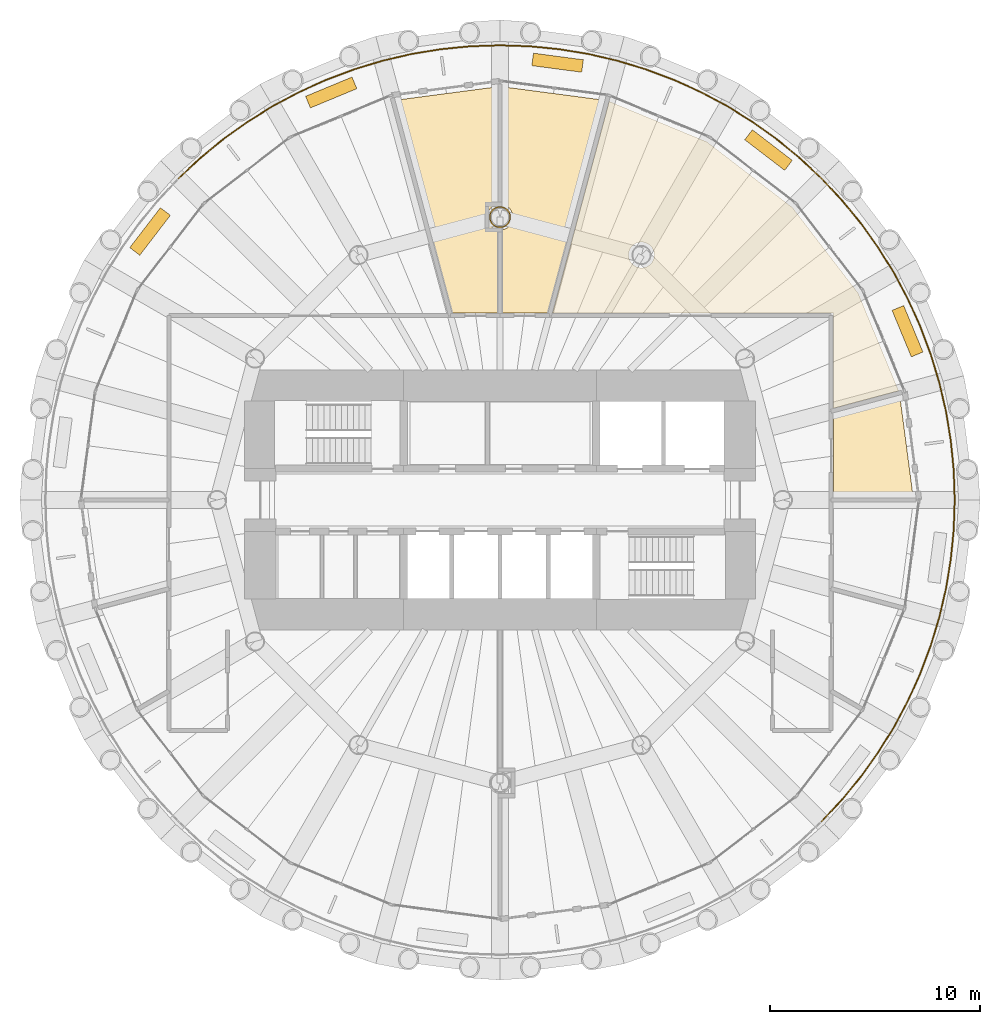
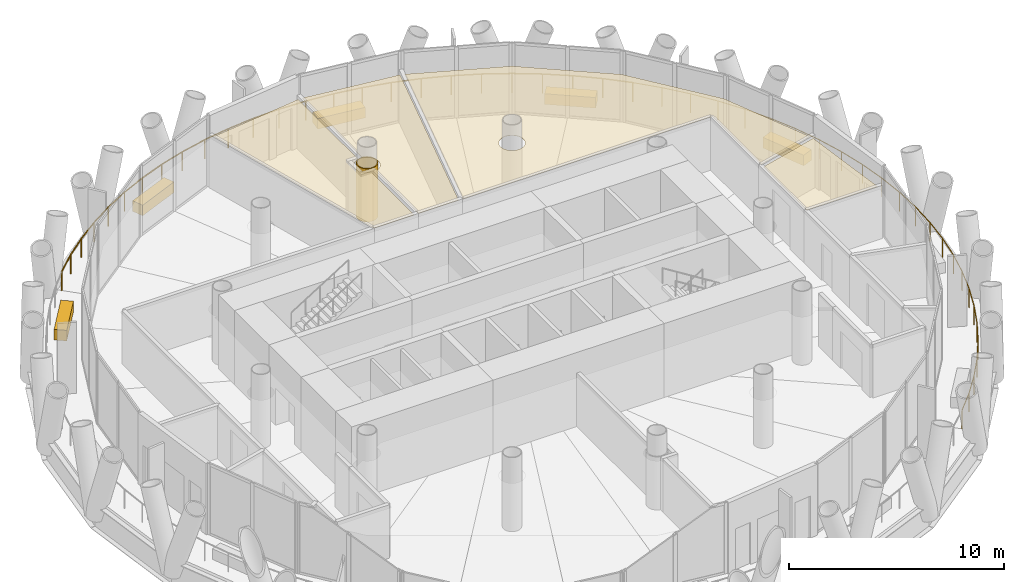
# One storey, part 13 of 13: 10 coverings, 2 railings.
"""IFC4 building model written with IfcOpenShell, lengths in metres."""

from ifc_helpers import new_model, si_unit, direction, frame, origin, origin_2d, place, context, subcontext, project, spatial, polyline, rectangle, circle, outline, extrude, material, layer, layer_set, type_object, element, save


model = new_model("IFC4")

# Units and contexts
model_context = context("Model", 3, precision=1e-05, world=origin(), true_north=direction((0.0, 1.0)))
body_context = subcontext(model_context, "Body", "Model", "MODEL_VIEW")
ifc_project = project(units=[si_unit("LENGTHUNIT", "METRE"), si_unit("AREAUNIT", "SQUARE_METRE"), si_unit("VOLUMEUNIT", "CUBIC_METRE"), si_unit("PLANEANGLEUNIT", "RADIAN"), si_unit("MASSUNIT", "GRAM", prefix="KILO")], contexts=[model_context])

# Site, building, storey
site_placement = place(None, origin())
site = spatial("IfcSite", under=ifc_project, at=site_placement, CompositionType="ELEMENT")
building_placement = place(site_placement, origin())
building = spatial("IfcBuilding", under=site, at=building_placement, Name="Qaws Media Tower", CompositionType="ELEMENT")
storey_placement = place(building_placement, frame((0.0, 0.0, 244.39990234375)))
storey = spatial("IfcBuildingStorey", under=building, at=storey_placement, Name="L56", CompositionType="ELEMENT", Elevation=244.39990234375)

# Railings
ifc_material_1 = material(Name="Stainless steel and glass guard", Category="steel")
railing_type = type_object("IfcRailingType", Name="Balcony guard 1100", PredefinedType="GUARDRAIL", material=ifc_material_1)
railing_1_placement = place(storey_placement, frame((75.34423828125, 65.34423828125, 0.0)))
element("IfcRailing", 1, at=railing_1_placement, inside=storey, type_object=railing_type, Name="GR1 balcony guard L56-1", PredefinedType="GUARDRAIL", context=body_context, shape_type="SweptSolid", body=[
    extrude(circle(Radius=0.02392578125, at=origin_2d()), frame((0.0, 0.0, 1.076171875), z_axis=(-0.729853467609, 0.683603624785, 0.0), x_axis=(-0.683603624785, -0.729853467609, 0.0)), (0.0, 0.0, 1.0), 1.419921875),
    extrude(circle(Radius=0.02392578125, at=origin_2d()), frame((-1.036376953125, 0.970703125, 1.076171875), z_axis=(-0.772991216558, 0.634416723554, 0.0), x_axis=(-0.634416723554, -0.772991216558, 0.0)), (0.0, 0.0, 1.0), 1.419921875),
    extrude(circle(Radius=0.02392578125, at=origin_2d()), frame((-2.134033203125, 1.87158203125, 1.076171875), z_axis=(-0.812849687149, 0.582473506781, 0.0), x_axis=(-0.582473506781, -0.812849687149, 0.0)), (0.0, 0.0, 1.0), 1.420166015625),
    extrude(circle(Radius=0.02392578125, at=origin_2d()), frame((-3.288330078125, 2.69873046875, 1.076171875), z_axis=(-0.84922281135, 0.528034673751, 0.0), x_axis=(-0.528034673751, -0.84922281135, 0.0)), (0.0, 0.0, 1.0), 1.419921875),
    extrude(circle(Radius=0.02392578125, at=origin_2d()), frame((-4.494140625, 3.448486328125, 1.076171875), z_axis=(-0.881924275223, 0.471391103833, 0.0), x_axis=(-0.471391103833, -0.881924275223, 0.0)), (0.0, 0.0, 1.0), 1.420166015625),
    extrude(circle(Radius=0.02392578125, at=origin_2d()), frame((-5.74658203125, 4.117919921875, 1.076171875), z_axis=(-0.910895658311, 0.412636764807, 0.0), x_axis=(-0.412636764807, -0.910895658311, 0.0)), (0.0, 0.0, 1.0), 1.419921875),
    extrude(circle(Radius=0.02392578125, at=origin_2d()), frame((-7.0400390625, 4.703857421875, 1.076171875), z_axis=(-0.935883258731, 0.352310269546, 0.0), x_axis=(-0.352310269546, -0.935883258731, 0.0)), (0.0, 0.0, 1.0), 1.419921875),
    extrude(circle(Radius=0.02392578125, at=origin_2d()), frame((-8.368896484375, 5.2041015625, 1.076171875), z_axis=(-0.956912997264, 0.290374784833, 0.0), x_axis=(-0.290374784833, -0.956912997264, 0.0)), (0.0, 0.0, 1.0), 1.420166015625),
    extrude(circle(Radius=0.02392578125, at=origin_2d()), frame((-9.727783203125, 5.616455078125, 1.076171875), z_axis=(-0.97391090899, 0.22693069724, 0.0), x_axis=(-0.22693069724, -0.97391090899, 0.0)), (0.0, 0.0, 1.0), 1.420166015625),
    extrude(circle(Radius=0.02392578125, at=origin_2d()), frame((-11.11083984375, 5.938720703125, 1.076171875), z_axis=(-0.986625297851, 0.163004667543, 0.0), x_axis=(-0.163004667543, -0.986625297851, 0.0)), (0.0, 0.0, 1.0), 1.419921875),
    extrude(circle(Radius=0.02392578125, at=origin_2d()), frame((-12.51171875, 6.170166015625, 1.076171875), z_axis=(-0.99518752223, 0.097988752405, 0.0), x_axis=(-0.097988752405, -0.99518752223, 0.0)), (0.0, 0.0, 1.0), 1.420166015625),
    extrude(circle(Radius=0.02392578125, at=origin_2d()), frame((-13.925048828125, 6.309326171875, 1.076171875), z_axis=(-0.999466261228, 0.032667914955, 0.0), x_axis=(-0.032667914955, -0.999466261228, 0.0)), (0.0, 0.0, 1.0), 1.419921875),
    extrude(circle(Radius=0.02392578125, at=origin_2d()), frame((-15.34423828125, 6.355712890625, 1.076171875), z_axis=(-0.999466261228, -0.032667914955, 0.0), x_axis=(0.032667914955, -0.999466261228, 0.0)), (0.0, 0.0, 1.0), 1.419921875),
    extrude(circle(Radius=0.02392578125, at=origin_2d()), frame((-16.763427734375, 6.309326171875, 1.076171875), z_axis=(-0.99518752223, -0.097988752405, 0.0), x_axis=(0.097988752405, -0.99518752223, 0.0)), (0.0, 0.0, 1.0), 1.420166015625),
    extrude(circle(Radius=0.02392578125, at=origin_2d()), frame((-18.1767578125, 6.170166015625, 1.076171875), z_axis=(-0.986625297851, -0.163004667543, 0.0), x_axis=(0.163004667543, -0.986625297851, 0.0)), (0.0, 0.0, 1.0), 1.419921875),
    extrude(circle(Radius=0.02392578125, at=origin_2d()), frame((-19.57763671875, 5.938720703125, 1.076171875), z_axis=(-0.97391090899, -0.22693069724, 0.0), x_axis=(0.22693069724, -0.97391090899, 0.0)), (0.0, 0.0, 1.0), 1.420166015625),
    extrude(circle(Radius=0.02392578125, at=origin_2d()), frame((-20.960693359375, 5.616455078125, 1.076171875), z_axis=(-0.956912997264, -0.290374784833, 0.0), x_axis=(0.290374784833, -0.956912997264, 0.0)), (0.0, 0.0, 1.0), 1.420166015625),
    extrude(circle(Radius=0.02392578125, at=origin_2d()), frame((-22.319580078125, 5.2041015625, 1.076171875), z_axis=(-0.935883258731, -0.352310269546, 0.0), x_axis=(0.352310269546, -0.935883258731, 0.0)), (0.0, 0.0, 1.0), 1.419921875),
    extrude(circle(Radius=0.02392578125, at=origin_2d()), frame((-23.6484375, 4.703857421875, 1.076171875), z_axis=(-0.910895658311, -0.412636764807, 0.0), x_axis=(0.412636764807, -0.910895658311, 0.0)), (0.0, 0.0, 1.0), 1.419921875),
    extrude(circle(Radius=0.02392578125, at=origin_2d()), frame((-24.94189453125, 4.117919921875, 1.076171875), z_axis=(-0.881924275223, -0.471391103833, 0.0), x_axis=(0.471391103833, -0.881924275223, 0.0)), (0.0, 0.0, 1.0), 1.420166015625),
    extrude(circle(Radius=0.02392578125, at=origin_2d()), frame((-26.1943359375, 3.448486328125, 1.076171875), z_axis=(-0.84922281135, -0.528034673751, 0.0), x_axis=(0.528034673751, -0.84922281135, 0.0)), (0.0, 0.0, 1.0), 1.419921875),
    extrude(circle(Radius=0.02392578125, at=origin_2d()), frame((-27.400146484375, 2.69873046875, 1.076171875), z_axis=(-0.812849687149, -0.582473506781, 0.0), x_axis=(0.582473506781, -0.812849687149, 0.0)), (0.0, 0.0, 1.0), 1.420166015625),
    extrude(circle(Radius=0.02392578125, at=origin_2d()), frame((-28.554443359375, 1.87158203125, 1.076171875), z_axis=(-0.772991216558, -0.634416723554, 0.0), x_axis=(0.634416723554, -0.772991216558, 0.0)), (0.0, 0.0, 1.0), 1.419921875),
    extrude(circle(Radius=0.02392578125, at=origin_2d()), frame((-29.652099609375, 0.970703125, 1.076171875), z_axis=(-0.729853467609, -0.683603624785, 0.0), x_axis=(0.683603624785, -0.729853467609, 0.0)), (0.0, 0.0, 1.0), 1.419921875),
    extrude(circle(Radius=0.02099609375, at=origin_2d()), origin(), (0.0, 0.0, 1.0), 1.052001953125),
    extrude(circle(Radius=0.02099609375, at=origin_2d()), frame((-1.036376953125, 0.970703125, 0.0)), (0.0, 0.0, 1.0), 1.052001953125),
    extrude(circle(Radius=0.02099609375, at=origin_2d()), frame((-2.134033203125, 1.87158203125, 0.0)), (0.0, 0.0, 1.0), 1.052001953125),
    extrude(circle(Radius=0.02099609375, at=origin_2d()), frame((-3.288330078125, 2.69873046875, 0.0)), (0.0, 0.0, 1.0), 1.052001953125),
    extrude(circle(Radius=0.02099609375, at=origin_2d()), frame((-4.494140625, 3.448486328125, 0.0)), (0.0, 0.0, 1.0), 1.052001953125),
    extrude(circle(Radius=0.02099609375, at=origin_2d()), frame((-5.74658203125, 4.117919921875, 0.0)), (0.0, 0.0, 1.0), 1.052001953125),
    extrude(circle(Radius=0.02099609375, at=origin_2d()), frame((-7.0400390625, 4.703857421875, 0.0)), (0.0, 0.0, 1.0), 1.052001953125),
    extrude(circle(Radius=0.02099609375, at=origin_2d()), frame((-8.368896484375, 5.2041015625, 0.0)), (0.0, 0.0, 1.0), 1.052001953125),
    extrude(circle(Radius=0.02099609375, at=origin_2d()), frame((-9.727783203125, 5.616455078125, 0.0)), (0.0, 0.0, 1.0), 1.052001953125),
    extrude(circle(Radius=0.02099609375, at=origin_2d()), frame((-11.11083984375, 5.938720703125, 0.0)), (0.0, 0.0, 1.0), 1.052001953125),
    extrude(circle(Radius=0.02099609375, at=origin_2d()), frame((-12.51171875, 6.170166015625, 0.0)), (0.0, 0.0, 1.0), 1.052001953125),
    extrude(circle(Radius=0.02099609375, at=origin_2d()), frame((-13.925048828125, 6.309326171875, 0.0)), (0.0, 0.0, 1.0), 1.052001953125),
    extrude(circle(Radius=0.02099609375, at=origin_2d()), frame((-15.34423828125, 6.355712890625, 0.0)), (0.0, 0.0, 1.0), 1.052001953125),
    extrude(circle(Radius=0.02099609375, at=origin_2d()), frame((-16.763427734375, 6.309326171875, 0.0)), (0.0, 0.0, 1.0), 1.052001953125),
    extrude(circle(Radius=0.02099609375, at=origin_2d()), frame((-18.1767578125, 6.170166015625, 0.0)), (0.0, 0.0, 1.0), 1.052001953125),
    extrude(circle(Radius=0.02099609375, at=origin_2d()), frame((-19.57763671875, 5.938720703125, 0.0)), (0.0, 0.0, 1.0), 1.052001953125),
    extrude(circle(Radius=0.02099609375, at=origin_2d()), frame((-20.960693359375, 5.616455078125, 0.0)), (0.0, 0.0, 1.0), 1.052001953125),
    extrude(circle(Radius=0.02099609375, at=origin_2d()), frame((-22.319580078125, 5.2041015625, 0.0)), (0.0, 0.0, 1.0), 1.052001953125),
    extrude(circle(Radius=0.02099609375, at=origin_2d()), frame((-23.6484375, 4.703857421875, 0.0)), (0.0, 0.0, 1.0), 1.052001953125),
    extrude(circle(Radius=0.02099609375, at=origin_2d()), frame((-24.94189453125, 4.117919921875, 0.0)), (0.0, 0.0, 1.0), 1.052001953125),
    extrude(circle(Radius=0.02099609375, at=origin_2d()), frame((-26.1943359375, 3.448486328125, 0.0)), (0.0, 0.0, 1.0), 1.052001953125),
    extrude(circle(Radius=0.02099609375, at=origin_2d()), frame((-27.400146484375, 2.69873046875, 0.0)), (0.0, 0.0, 1.0), 1.052001953125),
    extrude(circle(Radius=0.02099609375, at=origin_2d()), frame((-28.554443359375, 1.87158203125, 0.0)), (0.0, 0.0, 1.0), 1.052001953125),
    extrude(circle(Radius=0.02099609375, at=origin_2d()), frame((-29.652099609375, 0.970703125, 0.0)), (0.0, 0.0, 1.0), 1.052001953125),
    extrude(circle(Radius=0.02099609375, at=origin_2d()), frame((-30.6884765625, 0.0, 0.0)), (0.0, 0.0, 1.0), 1.052001953125),
])
railing_2_placement = place(storey_placement, frame((75.34423828125, 34.65576171875, 0.0)))
element("IfcRailing", 2, at=railing_2_placement, inside=storey, type_object=railing_type, Name="GR1 balcony guard L56-4", PredefinedType="GUARDRAIL", context=body_context, shape_type="SweptSolid", body=[
    extrude(circle(Radius=0.02392578125, at=origin_2d()), frame((0.0, 0.0, 1.076171875), z_axis=(0.683603624785, 0.729853467609, 0.0), x_axis=(-0.729853467609, 0.683603624785, 0.0)), (0.0, 0.0, 1.0), 1.419921875),
    extrude(circle(Radius=0.02392578125, at=origin_2d()), frame((0.970703125, 1.036376953125, 1.076171875), z_axis=(0.634416723554, 0.772991216558, 0.0), x_axis=(-0.772991216558, 0.634416723554, 0.0)), (0.0, 0.0, 1.0), 1.419921875),
    extrude(circle(Radius=0.02392578125, at=origin_2d()), frame((1.87158203125, 2.134033203125, 1.076171875), z_axis=(0.582473506781, 0.812849687149, 0.0), x_axis=(-0.812849687149, 0.582473506781, 0.0)), (0.0, 0.0, 1.0), 1.420166015625),
    extrude(circle(Radius=0.02392578125, at=origin_2d()), frame((2.69873046875, 3.288330078125, 1.076171875), z_axis=(0.528034673751, 0.84922281135, 0.0), x_axis=(-0.84922281135, 0.528034673751, 0.0)), (0.0, 0.0, 1.0), 1.419921875),
    extrude(circle(Radius=0.02392578125, at=origin_2d()), frame((3.448486328125, 4.494140625, 1.076171875), z_axis=(0.471391103833, 0.881924275223, 0.0), x_axis=(-0.881924275223, 0.471391103833, 0.0)), (0.0, 0.0, 1.0), 1.420166015625),
    extrude(circle(Radius=0.02392578125, at=origin_2d()), frame((4.117919921875, 5.74658203125, 1.076171875), z_axis=(0.412636764807, 0.910895658311, 0.0), x_axis=(-0.910895658311, 0.412636764807, 0.0)), (0.0, 0.0, 1.0), 1.419921875),
    extrude(circle(Radius=0.02392578125, at=origin_2d()), frame((4.703857421875, 7.0400390625, 1.076171875), z_axis=(0.352310269546, 0.935883258731, 0.0), x_axis=(-0.935883258731, 0.352310269546, 0.0)), (0.0, 0.0, 1.0), 1.419921875),
    extrude(circle(Radius=0.02392578125, at=origin_2d()), frame((5.2041015625, 8.368896484375, 1.076171875), z_axis=(0.290374784833, 0.956912997264, 0.0), x_axis=(-0.956912997264, 0.290374784833, 0.0)), (0.0, 0.0, 1.0), 1.420166015625),
    extrude(circle(Radius=0.02392578125, at=origin_2d()), frame((5.616455078125, 9.727783203125, 1.076171875), z_axis=(0.22693069724, 0.97391090899, 0.0), x_axis=(-0.97391090899, 0.22693069724, 0.0)), (0.0, 0.0, 1.0), 1.420166015625),
    extrude(circle(Radius=0.02392578125, at=origin_2d()), frame((5.938720703125, 11.11083984375, 1.076171875), z_axis=(0.163004667543, 0.986625297851, 0.0), x_axis=(-0.986625297851, 0.163004667543, 0.0)), (0.0, 0.0, 1.0), 1.419921875),
    extrude(circle(Radius=0.02392578125, at=origin_2d()), frame((6.170166015625, 12.51171875, 1.076171875), z_axis=(0.097988752405, 0.99518752223, 0.0), x_axis=(-0.99518752223, 0.097988752405, 0.0)), (0.0, 0.0, 1.0), 1.420166015625),
    extrude(circle(Radius=0.02392578125, at=origin_2d()), frame((6.309326171875, 13.925048828125, 1.076171875), z_axis=(0.032667914955, 0.999466261228, 0.0), x_axis=(-0.999466261228, 0.032667914955, 0.0)), (0.0, 0.0, 1.0), 1.419921875),
    extrude(circle(Radius=0.02392578125, at=origin_2d()), frame((6.355712890625, 15.34423828125, 1.076171875), z_axis=(-0.032667914955, 0.999466261228, 0.0), x_axis=(-0.999466261228, -0.032667914955, 0.0)), (0.0, 0.0, 1.0), 1.419921875),
    extrude(circle(Radius=0.02392578125, at=origin_2d()), frame((6.309326171875, 16.763427734375, 1.076171875), z_axis=(-0.097988752405, 0.99518752223, 0.0), x_axis=(-0.99518752223, -0.097988752405, 0.0)), (0.0, 0.0, 1.0), 1.420166015625),
    extrude(circle(Radius=0.02392578125, at=origin_2d()), frame((6.170166015625, 18.1767578125, 1.076171875), z_axis=(-0.163004667543, 0.986625297851, 0.0), x_axis=(-0.986625297851, -0.163004667543, 0.0)), (0.0, 0.0, 1.0), 1.419921875),
    extrude(circle(Radius=0.02392578125, at=origin_2d()), frame((5.938720703125, 19.57763671875, 1.076171875), z_axis=(-0.22693069724, 0.97391090899, 0.0), x_axis=(-0.97391090899, -0.22693069724, 0.0)), (0.0, 0.0, 1.0), 1.420166015625),
    extrude(circle(Radius=0.02392578125, at=origin_2d()), frame((5.616455078125, 20.960693359375, 1.076171875), z_axis=(-0.290374784833, 0.956912997264, 0.0), x_axis=(-0.956912997264, -0.290374784833, 0.0)), (0.0, 0.0, 1.0), 1.420166015625),
    extrude(circle(Radius=0.02392578125, at=origin_2d()), frame((5.2041015625, 22.319580078125, 1.076171875), z_axis=(-0.352310269546, 0.935883258731, 0.0), x_axis=(-0.935883258731, -0.352310269546, 0.0)), (0.0, 0.0, 1.0), 1.419921875),
    extrude(circle(Radius=0.02392578125, at=origin_2d()), frame((4.703857421875, 23.6484375, 1.076171875), z_axis=(-0.412636764807, 0.910895658311, 0.0), x_axis=(-0.910895658311, -0.412636764807, 0.0)), (0.0, 0.0, 1.0), 1.419921875),
    extrude(circle(Radius=0.02392578125, at=origin_2d()), frame((4.117919921875, 24.94189453125, 1.076171875), z_axis=(-0.471391103833, 0.881924275223, 0.0), x_axis=(-0.881924275223, -0.471391103833, 0.0)), (0.0, 0.0, 1.0), 1.420166015625),
    extrude(circle(Radius=0.02392578125, at=origin_2d()), frame((3.448486328125, 26.1943359375, 1.076171875), z_axis=(-0.528034673751, 0.84922281135, 0.0), x_axis=(-0.84922281135, -0.528034673751, 0.0)), (0.0, 0.0, 1.0), 1.419921875),
    extrude(circle(Radius=0.02392578125, at=origin_2d()), frame((2.69873046875, 27.400146484375, 1.076171875), z_axis=(-0.582473506781, 0.812849687149, 0.0), x_axis=(-0.812849687149, -0.582473506781, 0.0)), (0.0, 0.0, 1.0), 1.420166015625),
    extrude(circle(Radius=0.02392578125, at=origin_2d()), frame((1.87158203125, 28.554443359375, 1.076171875), z_axis=(-0.634416723554, 0.772991216558, 0.0), x_axis=(-0.772991216558, -0.634416723554, 0.0)), (0.0, 0.0, 1.0), 1.419921875),
    extrude(circle(Radius=0.02392578125, at=origin_2d()), frame((0.970703125, 29.652099609375, 1.076171875), z_axis=(-0.683603624785, 0.729853467609, 0.0), x_axis=(-0.729853467609, -0.683603624785, 0.0)), (0.0, 0.0, 1.0), 1.419921875),
    extrude(circle(Radius=0.02099609375, at=origin_2d()), origin(), (0.0, 0.0, 1.0), 1.052001953125),
    extrude(circle(Radius=0.02099609375, at=origin_2d()), frame((0.970703125, 1.036376953125, 0.0)), (0.0, 0.0, 1.0), 1.052001953125),
    extrude(circle(Radius=0.02099609375, at=origin_2d()), frame((1.87158203125, 2.134033203125, 0.0)), (0.0, 0.0, 1.0), 1.052001953125),
    extrude(circle(Radius=0.02099609375, at=origin_2d()), frame((2.69873046875, 3.288330078125, 0.0)), (0.0, 0.0, 1.0), 1.052001953125),
    extrude(circle(Radius=0.02099609375, at=origin_2d()), frame((3.448486328125, 4.494140625, 0.0)), (0.0, 0.0, 1.0), 1.052001953125),
    extrude(circle(Radius=0.02099609375, at=origin_2d()), frame((4.117919921875, 5.74658203125, 0.0)), (0.0, 0.0, 1.0), 1.052001953125),
    extrude(circle(Radius=0.02099609375, at=origin_2d()), frame((4.703857421875, 7.0400390625, 0.0)), (0.0, 0.0, 1.0), 1.052001953125),
    extrude(circle(Radius=0.02099609375, at=origin_2d()), frame((5.2041015625, 8.368896484375, 0.0)), (0.0, 0.0, 1.0), 1.052001953125),
    extrude(circle(Radius=0.02099609375, at=origin_2d()), frame((5.616455078125, 9.727783203125, 0.0)), (0.0, 0.0, 1.0), 1.052001953125),
    extrude(circle(Radius=0.02099609375, at=origin_2d()), frame((5.938720703125, 11.11083984375, 0.0)), (0.0, 0.0, 1.0), 1.052001953125),
    extrude(circle(Radius=0.02099609375, at=origin_2d()), frame((6.170166015625, 12.51171875, 0.0)), (0.0, 0.0, 1.0), 1.052001953125),
    extrude(circle(Radius=0.02099609375, at=origin_2d()), frame((6.309326171875, 13.925048828125, 0.0)), (0.0, 0.0, 1.0), 1.052001953125),
    extrude(circle(Radius=0.02099609375, at=origin_2d()), frame((6.355712890625, 15.34423828125, 0.0)), (0.0, 0.0, 1.0), 1.052001953125),
    extrude(circle(Radius=0.02099609375, at=origin_2d()), frame((6.309326171875, 16.763427734375, 0.0)), (0.0, 0.0, 1.0), 1.052001953125),
    extrude(circle(Radius=0.02099609375, at=origin_2d()), frame((6.170166015625, 18.1767578125, 0.0)), (0.0, 0.0, 1.0), 1.052001953125),
    extrude(circle(Radius=0.02099609375, at=origin_2d()), frame((5.938720703125, 19.57763671875, 0.0)), (0.0, 0.0, 1.0), 1.052001953125),
    extrude(circle(Radius=0.02099609375, at=origin_2d()), frame((5.616455078125, 20.960693359375, 0.0)), (0.0, 0.0, 1.0), 1.052001953125),
    extrude(circle(Radius=0.02099609375, at=origin_2d()), frame((5.2041015625, 22.319580078125, 0.0)), (0.0, 0.0, 1.0), 1.052001953125),
    extrude(circle(Radius=0.02099609375, at=origin_2d()), frame((4.703857421875, 23.6484375, 0.0)), (0.0, 0.0, 1.0), 1.052001953125),
    extrude(circle(Radius=0.02099609375, at=origin_2d()), frame((4.117919921875, 24.94189453125, 0.0)), (0.0, 0.0, 1.0), 1.052001953125),
    extrude(circle(Radius=0.02099609375, at=origin_2d()), frame((3.448486328125, 26.1943359375, 0.0)), (0.0, 0.0, 1.0), 1.052001953125),
    extrude(circle(Radius=0.02099609375, at=origin_2d()), frame((2.69873046875, 27.400146484375, 0.0)), (0.0, 0.0, 1.0), 1.052001953125),
    extrude(circle(Radius=0.02099609375, at=origin_2d()), frame((1.87158203125, 28.554443359375, 0.0)), (0.0, 0.0, 1.0), 1.052001953125),
    extrude(circle(Radius=0.02099609375, at=origin_2d()), frame((0.970703125, 29.652099609375, 0.0)), (0.0, 0.0, 1.0), 1.052001953125),
    extrude(circle(Radius=0.02099609375, at=origin_2d()), frame((0.0, 30.6884765625, 0.0)), (0.0, 0.0, 1.0), 1.052001953125),
])

# Coverings
ifc_material_2 = material(Name="Two layers 15 fire-rated gypsum board on steel framing", Category="steel")
ifc_layer_1 = layer(ifc_material_2, 0.050048828125)
ifc_layer_set_1 = layer_set([ifc_layer_1], Name="Column fire casing")
covering_type_1 = type_object("IfcCoveringType", Name="Column fire casing", PredefinedType="CLADDING", material=ifc_layer_set_1)
covering_1_placement = place(storey_placement, origin())
element("IfcCovering", 3, at=covering_1_placement, inside=storey, type_object=covering_type_1, Name="CC1 column casing L56", PredefinedType="CLADDING", context=body_context, shape_type="SweptSolid", body=[
    extrude(outline(polyline([(60.511962890625, 63.5), (60.507568359375, 63.43310546875), (60.49462890625, 63.367431640625), (60.472900390625, 63.30419921875), (60.443359375, 63.243896484375), (60.40625, 63.188232421875), (60.362060546875, 63.137939453125), (60.311767578125, 63.09375), (60.256103515625, 63.056640625), (60.19580078125, 63.027099609375), (60.132568359375, 63.00537109375), (60.06689453125, 62.992431640625), (60.0, 62.988037109375), (59.93310546875, 62.992431640625), (59.867431640625, 63.00537109375), (59.80419921875, 63.027099609375), (59.743896484375, 63.056640625), (59.688232421875, 63.09375), (59.637939453125, 63.137939453125), (59.59375, 63.188232421875), (59.556640625, 63.243896484375), (59.527099609375, 63.30419921875), (59.50537109375, 63.367431640625), (59.492431640625, 63.43310546875), (59.488037109375, 63.5), (59.492431640625, 63.56689453125), (59.50537109375, 63.632568359375), (59.527099609375, 63.69580078125), (59.556640625, 63.756103515625), (59.59375, 63.811767578125), (59.637939453125, 63.862060546875), (59.688232421875, 63.90625), (59.743896484375, 63.943359375), (59.80419921875, 63.972900390625), (59.867431640625, 63.99462890625), (59.93310546875, 64.007568359375), (60.0, 64.011962890625), (60.06689453125, 64.007568359375), (60.132568359375, 63.99462890625), (60.19580078125, 63.972900390625), (60.256103515625, 63.943359375), (60.311767578125, 63.90625), (60.362060546875, 63.862060546875), (60.40625, 63.811767578125), (60.443359375, 63.756103515625), (60.472900390625, 63.69580078125), (60.49462890625, 63.632568359375), (60.507568359375, 63.56689453125), (60.511962890625, 63.5)]), holes=[polyline([(60.4599609375, 63.5), (60.4560546875, 63.43994140625), (60.4443359375, 63.380859375), (60.425048828125, 63.323974609375), (60.3984375, 63.27001953125), (60.364990234375, 63.219970703125), (60.3251953125, 63.1748046875), (60.280029296875, 63.135009765625), (60.22998046875, 63.1015625), (60.176025390625, 63.074951171875), (60.119140625, 63.0556640625), (60.06005859375, 63.0439453125), (60.0, 63.0400390625), (59.93994140625, 63.0439453125), (59.880859375, 63.0556640625), (59.823974609375, 63.074951171875), (59.77001953125, 63.1015625), (59.719970703125, 63.135009765625), (59.6748046875, 63.1748046875), (59.635009765625, 63.219970703125), (59.6015625, 63.27001953125), (59.574951171875, 63.323974609375), (59.5556640625, 63.380859375), (59.5439453125, 63.43994140625), (59.5400390625, 63.5), (59.5439453125, 63.56005859375), (59.5556640625, 63.619140625), (59.574951171875, 63.676025390625), (59.6015625, 63.72998046875), (59.635009765625, 63.780029296875), (59.6748046875, 63.8251953125), (59.719970703125, 63.864990234375), (59.77001953125, 63.8984375), (59.823974609375, 63.925048828125), (59.880859375, 63.9443359375), (59.93994140625, 63.9560546875), (60.0, 63.9599609375), (60.06005859375, 63.9560546875), (60.119140625, 63.9443359375), (60.176025390625, 63.925048828125), (60.22998046875, 63.8984375), (60.280029296875, 63.864990234375), (60.3251953125, 63.8251953125), (60.364990234375, 63.780029296875), (60.3984375, 63.72998046875), (60.425048828125, 63.676025390625), (60.4443359375, 63.619140625), (60.4560546875, 63.56005859375), (60.4599609375, 63.5)])]), origin(), (0.0, 0.0, 1.0), 3.02001953125),
])
ifc_material_3 = material(Name="600 x 600 mineral fibre tiles in exposed grid, suspended", Category="mineral fibre")
ifc_layer_2 = layer(ifc_material_3, 0.02001953125)
ifc_layer_set_2 = layer_set([ifc_layer_2], Name="Mineral fibre tile ceiling 20")
covering_type_2 = type_object("IfcCoveringType", Name="Mineral fibre tile ceiling 20", PredefinedType="CEILING", material=ifc_layer_set_2)
covering_2_placement = place(storey_placement, frame((0.0, 0.0, 2.85009765625)))
element("IfcCovering", 4, at=covering_2_placement, inside=storey, type_object=covering_type_2, Name="CL1 ceiling L56-03 Tenant office", PredefinedType="CEILING", context=body_context, shape_type="SweptSolid", body=[
    extrude(outline(polyline([(69.86767578125, 67.09130859375), (73.954833984375, 63.954833984375), (77.09130859375, 59.86767578125), (79.019287109375, 55.212646484375), (75.91259765625, 54.380126953125), (75.91259765625, 58.91259765625), (62.504638671875, 58.91259765625), (65.212646484375, 69.019287109375), (69.86767578125, 67.09130859375)]), holes=[polyline([(67.320068359375, 61.455078125), (67.345947265625, 61.53173828125), (67.36181640625, 61.61083984375), (67.366943359375, 61.69140625), (67.36181640625, 61.77197265625), (67.345947265625, 61.85107421875), (67.320068359375, 61.927490234375), (67.2841796875, 61.999755859375), (67.239501953125, 62.06689453125), (67.186279296875, 62.127685546875), (67.12548828125, 62.180908203125), (67.05859375, 62.2255859375), (66.986083984375, 62.261474609375), (66.90966796875, 62.287353515625), (66.83056640625, 62.302978515625), (66.75, 62.308349609375), (66.66943359375, 62.302978515625), (66.59033203125, 62.287353515625), (66.513916015625, 62.261474609375), (66.44140625, 62.2255859375), (66.37451171875, 62.180908203125), (66.313720703125, 62.127685546875), (66.260498046875, 62.06689453125), (66.2158203125, 61.999755859375), (66.179931640625, 61.927490234375), (66.154052734375, 61.85107421875), (66.13818359375, 61.77197265625), (66.133056640625, 61.69140625), (66.13818359375, 61.61083984375), (66.154052734375, 61.53173828125), (66.179931640625, 61.455078125), (66.2158203125, 61.3828125), (66.260498046875, 61.315673828125), (66.313720703125, 61.255126953125), (66.37451171875, 61.201904296875), (66.44140625, 61.156982421875), (66.513916015625, 61.121337890625), (66.59033203125, 61.095458984375), (66.66943359375, 61.07958984375), (66.75, 61.07421875), (66.83056640625, 61.07958984375), (66.90966796875, 61.095458984375), (66.986083984375, 61.121337890625), (67.05859375, 61.156982421875), (67.12548828125, 61.201904296875), (67.186279296875, 61.255126953125), (67.239501953125, 61.315673828125), (67.2841796875, 61.3828125), (67.320068359375, 61.455078125)])]), origin(), (0.0, 0.0, 1.0), 0.02001953125),
])
ifc_material_4 = material(Name="Precast concrete planter with trailing planting", Category="concrete")
ifc_layer_3 = layer(ifc_material_4, 0.60009765625)
ifc_layer_set_3 = layer_set([ifc_layer_3], Name="Planter 2400x600")
covering_type_3 = type_object("IfcCoveringType", Name="Planter 2400x600", PredefinedType="USERDEFINED", material=ifc_layer_set_3)
for number, where, z_axis, x_axis, name in (
    (5, (79.44775390625, 58.055419921875, 0.0), (0.0, 0.0, 1.0), (-0.382683432365, 0.923879532511, 0.0), "PL1 balcony planter L56-01"),
    (6, (72.814453125, 66.7001953125, 0.0), (0.0, 0.0, 1.0), (-0.793353340291, 0.608761429009, 0.0), "PL1 balcony planter L56-02"),
    (7, (62.74755859375, 70.869873046875, 0.0), (0.0, 0.0, 1.0), (-0.991444861374, 0.13052619222, 0.0), "PL1 balcony planter L56-03"),
    (8, (51.944580078125, 69.44775390625, 0.0), (0.0, 0.0, 1.0), (-0.923879532511, -0.382683432365, 0.0), "PL1 balcony planter L56-04"),
    (9, (43.2998046875, 62.814453125, 0.0), (0.0, 0.0, 1.0), (-0.608761429009, -0.793353340291, 0.0), "PL1 balcony planter L56-05"),
):
    element("IfcCovering", number, at=place(storey_placement, frame(where, z_axis=z_axis, x_axis=x_axis)), inside=storey, type_object=covering_type_3, Name=name, ObjectType="PLANTER", PredefinedType="USERDEFINED", context=body_context, shape_type="SweptSolid", body=[
        extrude(rectangle(XDim=2.39990234375, YDim=0.60009765625, at=origin_2d()), origin(), (0.0, 0.0, 1.0), 0.60009765625),
    ])
ifc_material_5 = material(Name="Two layers 12.5 moisture-resistant plasterboard on suspended metal furring", Category="gypsum")
ifc_layer_4 = layer(ifc_material_5, 0.02490234375)
ifc_layer_set_4 = layer_set([ifc_layer_4], Name="Plasterboard ceiling 25")
covering_type_4 = type_object("IfcCoveringType", Name="Plasterboard ceiling 25", PredefinedType="CEILING", material=ifc_layer_set_4)
covering_3_placement = place(storey_placement, frame((0.0, 0.0, 2.85009765625)))
element("IfcCovering", 10, at=covering_3_placement, inside=storey, type_object=covering_type_4, Name="CL2 ceiling L56-02 Tenant reception", PredefinedType="CEILING", context=body_context, shape_type="SweptSolid", body=[
    extrude(outline(polyline([(79.720458984375, 50.112548828125), (75.91259765625, 50.112548828125), (75.91259765625, 54.147216796875), (79.07763671875, 54.995361328125), (79.720458984375, 50.112548828125)])), origin(), (0.0, 0.0, 1.0), 0.02490234375),
])
covering_4_placement = place(storey_placement, frame((0.0, 0.0, 2.85009765625)))
element("IfcCovering", 11, at=covering_4_placement, inside=storey, type_object=covering_type_4, Name="CL2 ceiling L56-04 Tenant pantry", PredefinedType="CEILING", context=body_context, shape_type="SweptSolid", body=[
    extrude(outline(polyline([(64.995361328125, 69.07763671875), (62.271484375, 58.91259765625), (60.112548828125, 58.91259765625), (60.112548828125, 62.89453125), (60.15966796875, 62.904052734375), (60.236083984375, 62.929931640625), (60.30859375, 62.9658203125), (60.37548828125, 63.010498046875), (60.436279296875, 63.063720703125), (60.489501953125, 63.12451171875), (60.5341796875, 63.19140625), (60.570068359375, 63.263916015625), (60.595947265625, 63.34033203125), (60.61181640625, 63.41943359375), (60.616943359375, 63.5), (60.61181640625, 63.58056640625), (60.595947265625, 63.65966796875), (60.570068359375, 63.736083984375), (60.5341796875, 63.80859375), (60.489501953125, 63.87548828125), (60.436279296875, 63.936279296875), (60.37548828125, 63.989501953125), (60.30859375, 64.0341796875), (60.236083984375, 64.070068359375), (60.15966796875, 64.095947265625), (60.112548828125, 64.10546875), (60.112548828125, 69.720458984375), (64.995361328125, 69.07763671875)])), origin(), (0.0, 0.0, 1.0), 0.02490234375),
])
covering_5_placement = place(storey_placement, frame((0.0, 0.0, 2.85009765625)))
element("IfcCovering", 12, at=covering_5_placement, inside=storey, type_object=covering_type_4, Name="CL2 ceiling L56-05 Tenant reception", PredefinedType="CEILING", context=body_context, shape_type="SweptSolid", body=[
    extrude(outline(polyline([(59.887451171875, 69.720458984375), (59.887451171875, 64.10546875), (59.84033203125, 64.095947265625), (59.763916015625, 64.070068359375), (59.69140625, 64.0341796875), (59.62451171875, 63.989501953125), (59.563720703125, 63.936279296875), (59.510498046875, 63.87548828125), (59.4658203125, 63.80859375), (59.429931640625, 63.736083984375), (59.404052734375, 63.65966796875), (59.38818359375, 63.58056640625), (59.383056640625, 63.5), (59.38818359375, 63.41943359375), (59.404052734375, 63.34033203125), (59.429931640625, 63.263916015625), (59.4658203125, 63.19140625), (59.510498046875, 63.12451171875), (59.563720703125, 63.063720703125), (59.62451171875, 63.010498046875), (59.69140625, 62.9658203125), (59.763916015625, 62.929931640625), (59.84033203125, 62.904052734375), (59.887451171875, 62.89453125), (59.887451171875, 58.91259765625), (57.728515625, 58.91259765625), (55.004638671875, 69.07763671875), (59.887451171875, 69.720458984375)])), origin(), (0.0, 0.0, 1.0), 0.02490234375),
])

save(model, "model.ifc")
